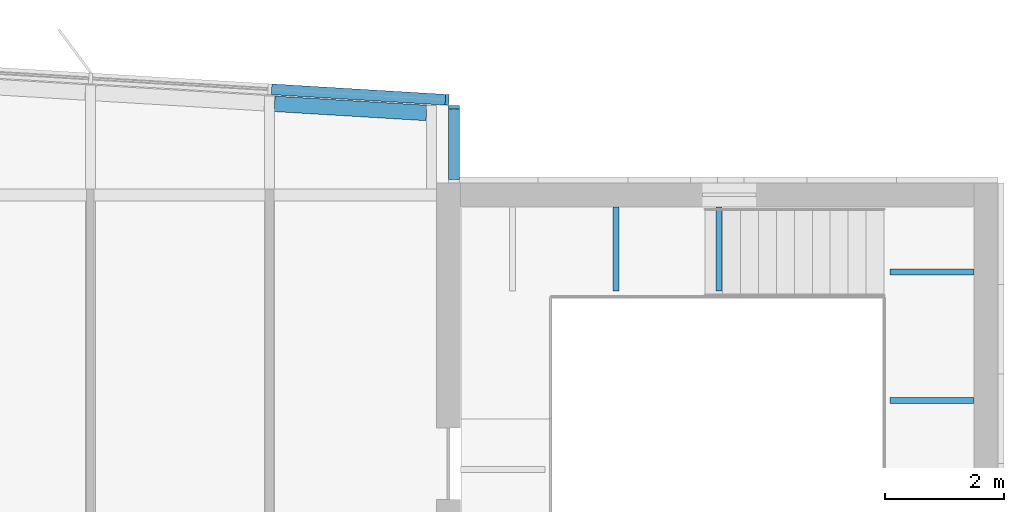
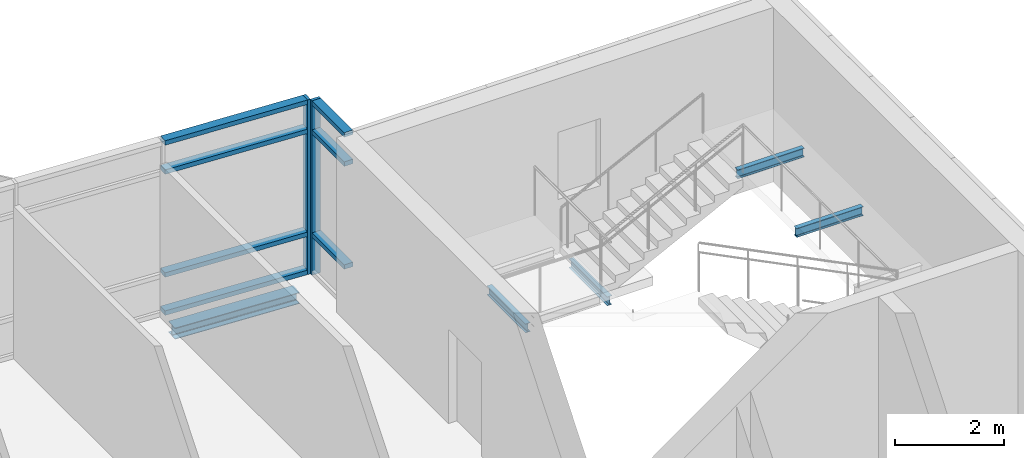
# One storey, part 9 of 20: 9 members, 5 beams, 2 elements without a shape of their own.
"""IFC4 building model written with IfcOpenShell, lengths in metres."""

from ifc_helpers import new_model, si_unit, direction, frame, origin, origin_2d, place, context, subcontext, project, spatial, rectangle, i_section, extrude, material, material_profile, profile_set, type_object, element, aggregate, save


model = new_model("IFC4")

# Units and contexts
model_context = context("Model", 3, precision=1e-05, world=origin(), true_north=direction((0.0, 1.0)))
body_context = subcontext(model_context, "Body", "Model", "MODEL_VIEW")
ifc_project = project(units=[si_unit("LENGTHUNIT", "METRE"), si_unit("AREAUNIT", "SQUARE_METRE"), si_unit("VOLUMEUNIT", "CUBIC_METRE"), si_unit("PLANEANGLEUNIT", "RADIAN"), si_unit("MASSUNIT", "GRAM", prefix="KILO")], contexts=[model_context])

# Site, building, storey
site_placement = place(None, origin())
site = spatial("IfcSite", under=ifc_project, at=site_placement, CompositionType="ELEMENT")
building_placement = place(site_placement, origin())
building = spatial("IfcBuilding", under=site, at=building_placement, Name="Azimuth Sports and Learning Centre", CompositionType="ELEMENT")
storey_placement = place(building_placement, frame((0.0, 0.0, 71.39990234375)))
storey = spatial("IfcBuildingStorey", under=building, at=storey_placement, Name="L16", CompositionType="ELEMENT", Elevation=71.39990234375)

# Beams
ifc_material_1 = material(Name="Steel S355", Category="steel")
ifc_material_profile_1 = material_profile(ifc_material_1, i_section(OverallWidth=0.10009765625, OverallDepth=0.199951171875, WebThickness=0.005615234375, FlangeThickness=0.008544921875, FilletRadius=0.011962890625, at=origin_2d()), Name="IPE 200")
ifc_profile_set_1 = profile_set([ifc_material_profile_1], Name="Steel S355")
beam_type_1 = type_object("IfcBeamType", Name="Beam IPE 200", PredefinedType="BEAM", material=ifc_profile_set_1)
for number, where, z_axis, x_axis, name in (
    (1, (110.800048828125, 116.800048828125, -0.2998046875), (0.0, -1.0, 0.0), (1.0, 0.0, 0.0), "Landing bracket E2 L16 694"),
    (2, (112.526611328125, 116.800048828125, -0.2998046875), (0.0, -1.0, 0.0), (1.0, 0.0, 0.0), "Landing bracket E2 L16 695"),
    (3, (116.800048828125, 113.5537109375, 1.35009765625), (-1.0, 0.0, 0.0), (0.0, -1.0, 0.0), "Landing bracket E2 L16 698"),
    (4, (116.800048828125, 115.711181640625, 1.35009765625), (-1.0, 0.0, 0.0), (0.0, -1.0, 0.0), "Landing bracket E2 L16 699"),
):
    element("IfcBeam", number, at=place(storey_placement, frame(where, z_axis=z_axis, x_axis=x_axis)), inside=storey, type_object=beam_type_1, Name=name, PredefinedType="BEAM", context=body_context, shape_type="SweptSolid", body=[
        extrude(i_section(OverallWidth=0.10009765625, OverallDepth=0.199951171875, WebThickness=0.005615234375, FlangeThickness=0.008544921875, FilletRadius=0.011962890625, at=origin_2d()), origin(), (0.0, 0.0, 1.0), 1.41015625),
    ])
ifc_material_2 = material(Name="Steel S355", Category="steel")
ifc_material_profile_2 = material_profile(ifc_material_2, i_section(OverallWidth=0.260009765625, OverallDepth=0.25, WebThickness=0.007568359375, FlangeThickness=0.012451171875, FilletRadius=0.02392578125, at=origin_2d()), Name="HEA 260")
ifc_profile_set_2 = profile_set([ifc_material_profile_2], Name="Steel S355")
beam_type_2 = type_object("IfcBeamType", Name="Edge beam HEA 260", PredefinedType="SPANDREL", material=ifc_profile_set_2)
beam_placement = place(storey_placement, frame((105.0849609375, 118.52490234375, -0.2548828125), z_axis=(0.998207363591, -0.059850307199, 0.0), x_axis=(0.059850307199, 0.998207363591, 0.0)))
element("IfcBeam", 5, at=beam_placement, inside=storey, type_object=beam_type_2, Name="Tower edge beam", PredefinedType="SPANDREL", context=body_context, shape_type="SweptSolid", body=[
    extrude(i_section(OverallWidth=0.260009765625, OverallDepth=0.25, WebThickness=0.007568359375, FlangeThickness=0.012451171875, FilletRadius=0.02392578125, at=origin_2d()), origin(), (0.0, 0.0, 1.0), 2.549560546875),
])

# Curtain wall, member
ifc_material_3 = material(Name="Aluminium and glass", Category="aluminium")
curtain_wall_type_1 = type_object("IfcCurtainWallType", Name="Curtain wall tower return 180", PredefinedType="NOTDEFINED", material=ifc_material_3)
curtain_wall_1_placement = place(storey_placement, origin())
curtain_wall_1 = element("IfcCurtainWall", 6, at=curtain_wall_1_placement, inside=storey, type_object=curtain_wall_type_1, Name="Curtain wall CW16-008", PredefinedType="NOTDEFINED")
ifc_material_4 = material(Name="Aluminium", Category="aluminium")
ifc_material_profile_3 = material_profile(ifc_material_4, rectangle(XDim=0.179931640625, YDim=0.06005859375, at=origin_2d()), Name="Mullion 60x180")
ifc_profile_set_3 = profile_set([ifc_material_profile_3], Name="Aluminium")
member_type_1 = type_object("IfcMemberType", Name="Mullion 60x180", PredefinedType="MULLION", material=ifc_profile_set_3)
member_1_placement = place(storey_placement, frame((108.090087890625, 118.469970703125, 0.0), z_axis=(0.0, 0.0, 1.0), x_axis=(-1.0, 0.0, 0.0)))
member_1 = element("IfcMember", 7, at=member_1_placement, type_object=member_type_1, Name="CW16-008 mullion 2", PredefinedType="MULLION", context=body_context, shape_type="SweptSolid", body=[
    extrude(rectangle(XDim=0.179931640625, YDim=0.06005859375, at=origin_2d()), origin(), (0.0, 0.0, 1.0), 3.900146484375),
])

ifc_material_5 = material(Name="Aluminium and glass", Category="aluminium")
curtain_wall_type_2 = type_object("IfcCurtainWallType", Name="Curtain wall tower north 180", PredefinedType="NOTDEFINED", material=ifc_material_5)
curtain_wall_2_placement = place(storey_placement, origin())
curtain_wall_2 = element("IfcCurtainWall", 8, at=curtain_wall_2_placement, inside=storey, type_object=curtain_wall_type_2, Name="Curtain wall CW16-009", PredefinedType="NOTDEFINED")
member_2_placement = place(storey_placement, frame((107.975341796875, 118.591552734375, 0.0), z_axis=(0.0, 0.0, 1.0), x_axis=(-0.059891991812, -0.998204863401, 0.0)))
member_2 = element("IfcMember", 9, at=member_2_placement, type_object=member_type_1, Name="CW16-009 mullion 1", PredefinedType="MULLION", context=body_context, shape_type="SweptSolid", body=[
    extrude(rectangle(XDim=0.179931640625, YDim=0.06005859375, at=origin_2d()), origin(), (0.0, 0.0, 1.0), 3.900146484375),
])

# Member
ifc_material_6 = material(Name="Aluminium", Category="aluminium")
ifc_material_profile_4 = material_profile(ifc_material_6, rectangle(XDim=0.179931640625, YDim=0.10009765625, at=origin_2d()), Name="Transom 100x180")
ifc_profile_set_4 = profile_set([ifc_material_profile_4], Name="Aluminium")
member_type_2 = type_object("IfcMemberType", Name="Transom 100x180", PredefinedType="USERDEFINED", material=ifc_profile_set_4)
member_3_placement = place(storey_placement, frame((108.090087890625, 117.260009765625, 0.900146484375), z_axis=(0.0, 1.0, 0.0), x_axis=(-1.0, 0.0, 0.0)))
member_3 = element("IfcMember", 10, at=member_3_placement, type_object=member_type_2, Name="CW16-008 transom 1.2", ObjectType="TRANSOM", PredefinedType="USERDEFINED", context=body_context, shape_type="SweptSolid", body=[
    extrude(rectangle(XDim=0.179931640625, YDim=0.10009765625, at=origin_2d()), origin(), (0.0, 0.0, 1.0), 1.179931640625),
])

member_4_placement = place(storey_placement, frame((108.090087890625, 117.260009765625, 3.2001953125), z_axis=(0.0, 1.0, 0.0), x_axis=(-1.0, 0.0, 0.0)))
member_4 = element("IfcMember", 11, at=member_4_placement, type_object=member_type_2, Name="CW16-008 transom 1.3", ObjectType="TRANSOM", PredefinedType="USERDEFINED", context=body_context, shape_type="SweptSolid", body=[
    extrude(rectangle(XDim=0.179931640625, YDim=0.10009765625, at=origin_2d()), origin(), (0.0, 0.0, 1.0), 1.179931640625),
])

member_5_placement = place(storey_placement, frame((108.090087890625, 117.260009765625, 3.85009765625), z_axis=(0.0, 1.0, 0.0), x_axis=(-1.0, 0.0, 0.0)))
member_5 = element("IfcMember", 12, at=member_5_placement, type_object=member_type_2, Name="CW16-008 transom 1.4", ObjectType="TRANSOM", PredefinedType="USERDEFINED", context=body_context, shape_type="SweptSolid", body=[
    extrude(rectangle(XDim=0.179931640625, YDim=0.10009765625, at=origin_2d()), origin(), (0.0, 0.0, 1.0), 1.179931640625),
])

aggregate(curtain_wall_1, [member_1, member_3, member_4, member_5])

member_6_placement = place(storey_placement, frame((107.945556640625, 118.593505859375, 0.050048828125), z_axis=(-0.998205846627, 0.059875602377, 0.0), x_axis=(-0.059875602377, -0.998205846627, 0.0)))
member_6 = element("IfcMember", 13, at=member_6_placement, type_object=member_type_2, Name="CW16-009 transom 1.1", ObjectType="TRANSOM", PredefinedType="USERDEFINED", context=body_context, shape_type="SweptSolid", body=[
    extrude(rectangle(XDim=0.179931640625, YDim=0.10009765625, at=origin_2d()), origin(), (0.0, 0.0, 1.0), 2.915283203125),
])

member_7_placement = place(storey_placement, frame((107.945556640625, 118.593505859375, 0.900146484375), z_axis=(-0.998205846627, 0.059875602377, 0.0), x_axis=(-0.059875602377, -0.998205846627, 0.0)))
member_7 = element("IfcMember", 14, at=member_7_placement, type_object=member_type_2, Name="CW16-009 transom 1.2", ObjectType="TRANSOM", PredefinedType="USERDEFINED", context=body_context, shape_type="SweptSolid", body=[
    extrude(rectangle(XDim=0.179931640625, YDim=0.10009765625, at=origin_2d()), origin(), (0.0, 0.0, 1.0), 2.915283203125),
])

member_8_placement = place(storey_placement, frame((107.945556640625, 118.593505859375, 3.2001953125), z_axis=(-0.998205846627, 0.059875602377, 0.0), x_axis=(-0.059875602377, -0.998205846627, 0.0)))
member_8 = element("IfcMember", 15, at=member_8_placement, type_object=member_type_2, Name="CW16-009 transom 1.3", ObjectType="TRANSOM", PredefinedType="USERDEFINED", context=body_context, shape_type="SweptSolid", body=[
    extrude(rectangle(XDim=0.179931640625, YDim=0.10009765625, at=origin_2d()), origin(), (0.0, 0.0, 1.0), 2.915283203125),
])

member_9_placement = place(storey_placement, frame((107.945556640625, 118.593505859375, 3.85009765625), z_axis=(-0.998205846627, 0.059875602377, 0.0), x_axis=(-0.059875602377, -0.998205846627, 0.0)))
member_9 = element("IfcMember", 16, at=member_9_placement, type_object=member_type_2, Name="CW16-009 transom 1.4", ObjectType="TRANSOM", PredefinedType="USERDEFINED", context=body_context, shape_type="SweptSolid", body=[
    extrude(rectangle(XDim=0.179931640625, YDim=0.10009765625, at=origin_2d()), origin(), (0.0, 0.0, 1.0), 2.915283203125),
])

aggregate(curtain_wall_2, [member_2, member_6, member_7, member_8, member_9])

save(model, "model.ifc")
